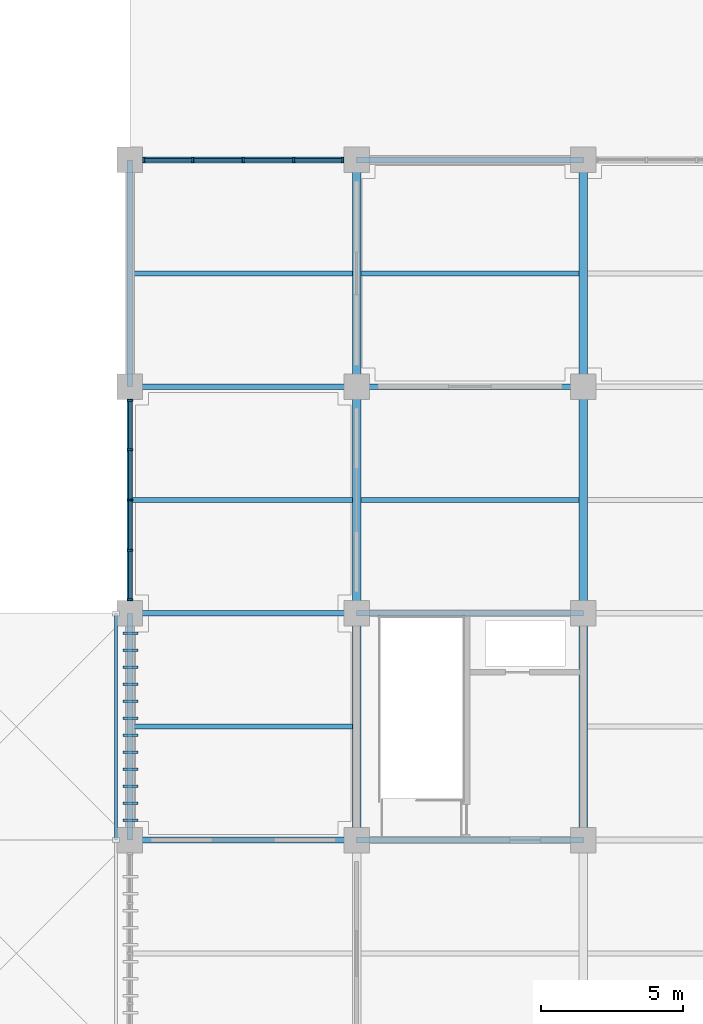
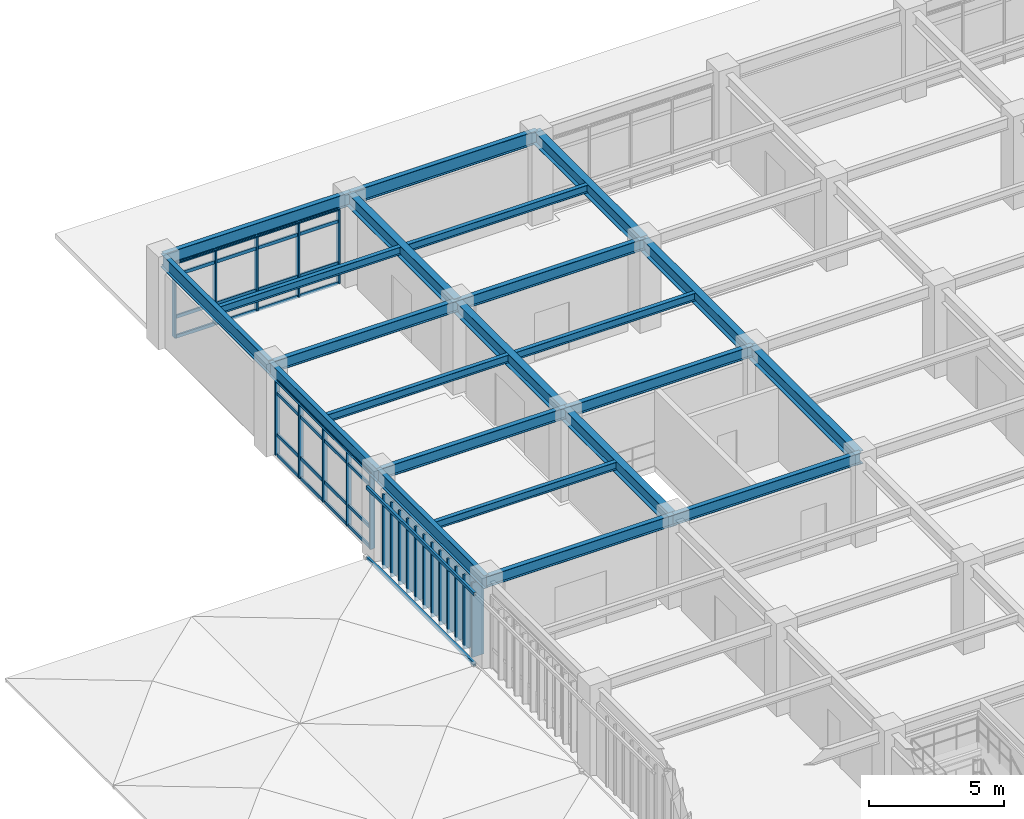
# One storey, part 50 of 118: 56 members, 22 beams, 2 elements without a shape of their own.
"""IFC4 building model written with IfcOpenShell, lengths in metres."""

from ifc_helpers import new_model, si_unit, direction, frame, origin, origin_2d, place, context, subcontext, project, spatial, rectangle, hollow_rectangle, i_section, extrude, material, layer, layer_set, material_profile, profile_set, type_object, element, aggregate, save


model = new_model("IFC4")

# Units and contexts
model_context = context("Model", 3, precision=1e-05, world=origin(), true_north=direction((0.0, 1.0)))
body_context = subcontext(model_context, "Body", "Model", "MODEL_VIEW")
ifc_project = project(units=[si_unit("LENGTHUNIT", "METRE"), si_unit("AREAUNIT", "SQUARE_METRE"), si_unit("VOLUMEUNIT", "CUBIC_METRE"), si_unit("PLANEANGLEUNIT", "RADIAN"), si_unit("MASSUNIT", "GRAM", prefix="KILO")], contexts=[model_context])

# Site, building, storey
site_placement = place(None, origin())
site = spatial("IfcSite", under=ifc_project, at=site_placement, CompositionType="ELEMENT")
building_placement = place(site_placement, origin())
building = spatial("IfcBuilding", under=site, at=building_placement, Name="Haebicheon Civic Stadium", CompositionType="ELEMENT")
storey_placement = place(building_placement, frame((0.0, 0.0, 14.39990234375)))
storey = spatial("IfcBuildingStorey", under=building, at=storey_placement, Name="L04", CompositionType="ELEMENT", Elevation=14.39990234375)

# Beams
ifc_material_1 = material(Name="Steel SM355 (S355)", Category="steel")
ifc_material_profile_1 = material_profile(ifc_material_1, i_section(OverallWidth=0.199951171875, OverallDepth=0.5, WebThickness=0.010009765625, FlangeThickness=0.01611328125, at=origin_2d()), Name="H-500x200x10x16")
ifc_profile_set_1 = profile_set([ifc_material_profile_1], Name="Steel SM355 (S355)")
beam_type_1 = type_object("IfcBeamType", Name="BM-ST-H500", PredefinedType="BEAM", material=ifc_profile_set_1)
for number, where, z_axis, x_axis, name in (
    (1, (24.0, 128.0, 3.690185546875), (1.0, 0.0, 0.0), (0.0, 1.0, 0.0), "L04 beam S/4-5"),
    (2, (24.0, 136.0, 3.690185546875), (1.0, 0.0, 0.0), (0.0, 1.0, 0.0), "L04 beam T/4-5"),
    (3, (24.0, 144.0, 3.690185546875), (1.0, 0.0, 0.0), (0.0, 1.0, 0.0), "L04 beam U/4-5"),
    (4, (32.0, 128.0, 3.690185546875), (1.0, 0.0, 0.0), (0.0, 1.0, 0.0), "L04 beam S/5-6"),
    (5, (32.0, 136.0, 3.690185546875), (1.0, 0.0, 0.0), (0.0, 1.0, 0.0), "L04 beam T/5-6"),
    (6, (32.0, 144.0, 3.690185546875), (1.0, 0.0, 0.0), (0.0, 1.0, 0.0), "L04 beam U/5-6"),
):
    element("IfcBeam", number, at=place(storey_placement, frame(where, z_axis=z_axis, x_axis=x_axis)), inside=storey, type_object=beam_type_1, material=ifc_profile_set_1, Name=name, PredefinedType="BEAM", context=body_context, shape_type="SweptSolid", body=[
        extrude(i_section(OverallWidth=0.199951171875, OverallDepth=0.5, WebThickness=0.010009765625, FlangeThickness=0.01611328125, at=origin_2d()), origin(), (0.0, 0.0, 1.0), 8.0),
    ])
ifc_material_2 = material(Name="Steel SM355 (S355)", Category="steel")
ifc_material_profile_2 = material_profile(ifc_material_2, i_section(OverallWidth=0.300048828125, OverallDepth=0.60009765625, WebThickness=0.011962890625, FlangeThickness=0.02001953125, at=origin_2d()), Name="H-600x300x12x20")
ifc_profile_set_2 = profile_set([ifc_material_profile_2], Name="Steel SM355 (S355)")
beam_type_2 = type_object("IfcBeamType", Name="BM-ST-H600A", PredefinedType="BEAM", material=ifc_profile_set_2)
for number, where, z_axis, x_axis, name in (
    (7, (32.0, 128.0, 3.64013671875), (0.0, 1.0, 0.0), (-1.0, 0.0, 0.0), "L04 girder 5/S-T"),
    (8, (32.0, 136.0, 3.64013671875), (0.0, 1.0, 0.0), (-1.0, 0.0, 0.0), "L04 girder 5/T-U"),
    (9, (32.0, 144.0, 3.68017578125), (0.0, 1.0, 0.0), (-1.0, 0.0, 0.0), "L04 girder 5/U-V"),
    (10, (40.0, 128.0, 3.64013671875), (0.0, 1.0, 0.0), (-1.0, 0.0, 0.0), "L04 girder 6/S-T"),
    (11, (40.0, 136.0, 3.64013671875), (0.0, 1.0, 0.0), (-1.0, 0.0, 0.0), "L04 girder 6/T-U"),
    (12, (40.0, 144.0, 3.68017578125), (0.0, 1.0, 0.0), (-1.0, 0.0, 0.0), "L04 girder 6/U-V"),
):
    element("IfcBeam", number, at=place(storey_placement, frame(where, z_axis=z_axis, x_axis=x_axis)), inside=storey, type_object=beam_type_2, material=ifc_profile_set_2, Name=name, PredefinedType="BEAM", context=body_context, shape_type="SweptSolid", body=[
        extrude(i_section(OverallWidth=0.300048828125, OverallDepth=0.60009765625, WebThickness=0.011962890625, FlangeThickness=0.02001953125, at=origin_2d()), origin(), (0.0, 0.0, 1.0), 8.0),
    ])

# Curtain wall, members
ifc_material_3 = material(Name="Anodised aluminium and laminated glass", Category="aluminium")
ifc_layer_1 = layer(ifc_material_3, 0.179931640625, Name="Anodised aluminium and laminated glass")
ifc_layer_set_1 = layer_set([ifc_layer_1], Name="Anodised aluminium and laminated glass")
curtain_wall_type_1 = type_object("IfcCurtainWallType", Name="CW-7100x3330", PredefinedType="NOTDEFINED", material=ifc_layer_set_1)
curtain_wall_1_placement = place(storey_placement, origin())
curtain_wall_1 = element("IfcCurtainWall", 13, at=curtain_wall_1_placement, inside=storey, type_object=curtain_wall_type_1, material=ifc_layer_set_1, Name="L04 unitised curtain wall 111", PredefinedType="NOTDEFINED")
ifc_material_4 = material(Name="Anodised aluminium 6063-T6", Category="aluminium")
ifc_material_profile_3 = material_profile(ifc_material_4, rectangle(XDim=0.070068359375, YDim=0.199951171875, at=origin_2d()), Name="ALU-MULL-70x200")
ifc_profile_set_3 = profile_set([ifc_material_profile_3], Name="Anodised aluminium 6063-T6")
member_type_1 = type_object("IfcMemberType", Name="CWM-200x70", PredefinedType="MULLION", material=ifc_profile_set_3)
member_1_placement = place(storey_placement, frame((24.0, 136.485107421875, 0.0), z_axis=(0.0, 0.0, 1.0), x_axis=(0.0, 1.0, 0.0)))
member_1 = element("IfcMember", 14, at=member_1_placement, type_object=member_type_1, material=ifc_profile_set_3, Name="CW-L04-111 vertical mullion 1", PredefinedType="MULLION", context=body_context, shape_type="SweptSolid", body=[
    extrude(rectangle(XDim=0.070068359375, YDim=0.199951171875, at=origin_2d()), origin(), (0.0, 0.0, 1.0), 3.330078125),
])
member_2_placement = place(storey_placement, frame((24.0, 138.22509765625, 0.0), z_axis=(0.0, 0.0, 1.0), x_axis=(0.0, 1.0, 0.0)))
member_2 = element("IfcMember", 15, at=member_2_placement, type_object=member_type_1, material=ifc_profile_set_3, Name="CW-L04-111 vertical mullion 2", PredefinedType="MULLION", context=body_context, shape_type="SweptSolid", body=[
    extrude(rectangle(XDim=0.070068359375, YDim=0.199951171875, at=origin_2d()), origin(), (0.0, 0.0, 1.0), 3.330078125),
])
member_3_placement = place(storey_placement, frame((24.0, 140.0, 0.0), z_axis=(0.0, 0.0, 1.0), x_axis=(0.0, 1.0, 0.0)))
member_3 = element("IfcMember", 16, at=member_3_placement, type_object=member_type_1, material=ifc_profile_set_3, Name="CW-L04-111 vertical mullion 3", PredefinedType="MULLION", context=body_context, shape_type="SweptSolid", body=[
    extrude(rectangle(XDim=0.070068359375, YDim=0.199951171875, at=origin_2d()), origin(), (0.0, 0.0, 1.0), 3.330078125),
])
member_4_placement = place(storey_placement, frame((24.0, 141.77490234375, 0.0), z_axis=(0.0, 0.0, 1.0), x_axis=(0.0, 1.0, 0.0)))
member_4 = element("IfcMember", 17, at=member_4_placement, type_object=member_type_1, material=ifc_profile_set_3, Name="CW-L04-111 vertical mullion 4", PredefinedType="MULLION", context=body_context, shape_type="SweptSolid", body=[
    extrude(rectangle(XDim=0.070068359375, YDim=0.199951171875, at=origin_2d()), origin(), (0.0, 0.0, 1.0), 3.330078125),
])
member_5_placement = place(storey_placement, frame((24.0, 143.514892578125, 0.0), z_axis=(0.0, 0.0, 1.0), x_axis=(0.0, 1.0, 0.0)))
member_5 = element("IfcMember", 18, at=member_5_placement, type_object=member_type_1, material=ifc_profile_set_3, Name="CW-L04-111 vertical mullion 5", PredefinedType="MULLION", context=body_context, shape_type="SweptSolid", body=[
    extrude(rectangle(XDim=0.070068359375, YDim=0.199951171875, at=origin_2d()), origin(), (0.0, 0.0, 1.0), 3.330078125),
])

ifc_material_5 = material(Name="Anodised aluminium and laminated glass", Category="aluminium")
ifc_layer_2 = layer(ifc_material_5, 0.179931640625, Name="Anodised aluminium and laminated glass")
ifc_layer_set_2 = layer_set([ifc_layer_2], Name="Anodised aluminium and laminated glass")
curtain_wall_type_2 = type_object("IfcCurtainWallType", Name="CW-7100x3350", PredefinedType="NOTDEFINED", material=ifc_layer_set_2)
curtain_wall_2_placement = place(storey_placement, origin())
curtain_wall_2 = element("IfcCurtainWall", 19, at=curtain_wall_2_placement, inside=storey, type_object=curtain_wall_type_2, material=ifc_layer_set_2, Name="L04 unitised curtain wall 112", PredefinedType="NOTDEFINED")
member_6_placement = place(storey_placement, frame((24.485107421875, 152.0, 0.0), z_axis=(0.0, 0.0, 1.0), x_axis=(1.0, 0.0, 0.0)))
member_6 = element("IfcMember", 20, at=member_6_placement, type_object=member_type_1, material=ifc_profile_set_3, Name="CW-L04-112 vertical mullion 1", PredefinedType="MULLION", context=body_context, shape_type="SweptSolid", body=[
    extrude(rectangle(XDim=0.070068359375, YDim=0.199951171875, at=origin_2d()), origin(), (0.0, 0.0, 1.0), 3.35009765625),
])
member_7_placement = place(storey_placement, frame((26.22509765625, 152.0, 0.0), z_axis=(0.0, 0.0, 1.0), x_axis=(1.0, 0.0, 0.0)))
member_7 = element("IfcMember", 21, at=member_7_placement, type_object=member_type_1, material=ifc_profile_set_3, Name="CW-L04-112 vertical mullion 2", PredefinedType="MULLION", context=body_context, shape_type="SweptSolid", body=[
    extrude(rectangle(XDim=0.070068359375, YDim=0.199951171875, at=origin_2d()), origin(), (0.0, 0.0, 1.0), 3.35009765625),
])
member_8_placement = place(storey_placement, frame((28.0, 152.0, 0.0), z_axis=(0.0, 0.0, 1.0), x_axis=(1.0, 0.0, 0.0)))
member_8 = element("IfcMember", 22, at=member_8_placement, type_object=member_type_1, material=ifc_profile_set_3, Name="CW-L04-112 vertical mullion 3", PredefinedType="MULLION", context=body_context, shape_type="SweptSolid", body=[
    extrude(rectangle(XDim=0.070068359375, YDim=0.199951171875, at=origin_2d()), origin(), (0.0, 0.0, 1.0), 3.35009765625),
])
member_9_placement = place(storey_placement, frame((29.77490234375, 152.0, 0.0), z_axis=(0.0, 0.0, 1.0), x_axis=(1.0, 0.0, 0.0)))
member_9 = element("IfcMember", 23, at=member_9_placement, type_object=member_type_1, material=ifc_profile_set_3, Name="CW-L04-112 vertical mullion 4", PredefinedType="MULLION", context=body_context, shape_type="SweptSolid", body=[
    extrude(rectangle(XDim=0.070068359375, YDim=0.199951171875, at=origin_2d()), origin(), (0.0, 0.0, 1.0), 3.35009765625),
])
member_10_placement = place(storey_placement, frame((31.514892578125, 152.0, 0.0), z_axis=(0.0, 0.0, 1.0), x_axis=(1.0, 0.0, 0.0)))
member_10 = element("IfcMember", 24, at=member_10_placement, type_object=member_type_1, material=ifc_profile_set_3, Name="CW-L04-112 vertical mullion 5", PredefinedType="MULLION", context=body_context, shape_type="SweptSolid", body=[
    extrude(rectangle(XDim=0.070068359375, YDim=0.199951171875, at=origin_2d()), origin(), (0.0, 0.0, 1.0), 3.35009765625),
])

# Member
ifc_material_6 = material(Name="Anodised aluminium 6063-T6", Category="aluminium")
ifc_material_profile_4 = material_profile(ifc_material_6, rectangle(XDim=0.070068359375, YDim=0.14990234375, at=origin_2d()), Name="ALU-TRAN-70x150")
ifc_profile_set_4 = profile_set([ifc_material_profile_4], Name="Anodised aluminium 6063-T6")
member_type_2 = type_object("IfcMemberType", Name="CWT-150x70", PredefinedType="NOTDEFINED", material=ifc_profile_set_4)
member_11_placement = place(storey_placement, frame((24.0, 136.52001953125, 0.0), z_axis=(0.0, 1.0, 0.0), x_axis=(-1.0, 0.0, 0.0)))
member_11 = element("IfcMember", 25, at=member_11_placement, type_object=member_type_2, material=ifc_profile_set_4, Name="CW-L04-111 horizontal transom 1.1", ObjectType="TRANSOM", PredefinedType="USERDEFINED", context=body_context, shape_type="SweptSolid", body=[
    extrude(rectangle(XDim=0.070068359375, YDim=0.14990234375, at=origin_2d()), origin(), (0.0, 0.0, 1.0), 1.669921875),
])

member_12_placement = place(storey_placement, frame((24.0, 136.52001953125, 0.900146484375), z_axis=(0.0, 1.0, 0.0), x_axis=(-1.0, 0.0, 0.0)))
member_12 = element("IfcMember", 26, at=member_12_placement, type_object=member_type_2, material=ifc_profile_set_4, Name="CW-L04-111 horizontal transom 1.2", ObjectType="TRANSOM", PredefinedType="USERDEFINED", context=body_context, shape_type="SweptSolid", body=[
    extrude(rectangle(XDim=0.070068359375, YDim=0.14990234375, at=origin_2d()), origin(), (0.0, 0.0, 1.0), 1.669921875),
])

member_13_placement = place(storey_placement, frame((24.0, 136.52001953125, 2.780029296875), z_axis=(0.0, 1.0, 0.0), x_axis=(-1.0, 0.0, 0.0)))
member_13 = element("IfcMember", 27, at=member_13_placement, type_object=member_type_2, material=ifc_profile_set_4, Name="CW-L04-111 horizontal transom 1.3", ObjectType="TRANSOM", PredefinedType="USERDEFINED", context=body_context, shape_type="SweptSolid", body=[
    extrude(rectangle(XDim=0.070068359375, YDim=0.14990234375, at=origin_2d()), origin(), (0.0, 0.0, 1.0), 1.669921875),
])

member_14_placement = place(storey_placement, frame((24.0, 136.52001953125, 3.330078125), z_axis=(0.0, 1.0, 0.0), x_axis=(-1.0, 0.0, 0.0)))
member_14 = element("IfcMember", 28, at=member_14_placement, type_object=member_type_2, material=ifc_profile_set_4, Name="CW-L04-111 horizontal transom 1.4", ObjectType="TRANSOM", PredefinedType="USERDEFINED", context=body_context, shape_type="SweptSolid", body=[
    extrude(rectangle(XDim=0.070068359375, YDim=0.14990234375, at=origin_2d()), origin(), (0.0, 0.0, 1.0), 1.669921875),
])

member_15_placement = place(storey_placement, frame((24.0, 138.260009765625, 0.0), z_axis=(0.0, 1.0, 0.0), x_axis=(-1.0, 0.0, 0.0)))
member_15 = element("IfcMember", 29, at=member_15_placement, type_object=member_type_2, material=ifc_profile_set_4, Name="CW-L04-111 horizontal transom 2.1", ObjectType="TRANSOM", PredefinedType="USERDEFINED", context=body_context, shape_type="SweptSolid", body=[
    extrude(rectangle(XDim=0.070068359375, YDim=0.14990234375, at=origin_2d()), origin(), (0.0, 0.0, 1.0), 1.705078125),
])

member_16_placement = place(storey_placement, frame((24.0, 138.260009765625, 0.900146484375), z_axis=(0.0, 1.0, 0.0), x_axis=(-1.0, 0.0, 0.0)))
member_16 = element("IfcMember", 30, at=member_16_placement, type_object=member_type_2, material=ifc_profile_set_4, Name="CW-L04-111 horizontal transom 2.2", ObjectType="TRANSOM", PredefinedType="USERDEFINED", context=body_context, shape_type="SweptSolid", body=[
    extrude(rectangle(XDim=0.070068359375, YDim=0.14990234375, at=origin_2d()), origin(), (0.0, 0.0, 1.0), 1.705078125),
])

member_17_placement = place(storey_placement, frame((24.0, 138.260009765625, 2.780029296875), z_axis=(0.0, 1.0, 0.0), x_axis=(-1.0, 0.0, 0.0)))
member_17 = element("IfcMember", 31, at=member_17_placement, type_object=member_type_2, material=ifc_profile_set_4, Name="CW-L04-111 horizontal transom 2.3", ObjectType="TRANSOM", PredefinedType="USERDEFINED", context=body_context, shape_type="SweptSolid", body=[
    extrude(rectangle(XDim=0.070068359375, YDim=0.14990234375, at=origin_2d()), origin(), (0.0, 0.0, 1.0), 1.705078125),
])

member_18_placement = place(storey_placement, frame((24.0, 138.260009765625, 3.330078125), z_axis=(0.0, 1.0, 0.0), x_axis=(-1.0, 0.0, 0.0)))
member_18 = element("IfcMember", 32, at=member_18_placement, type_object=member_type_2, material=ifc_profile_set_4, Name="CW-L04-111 horizontal transom 2.4", ObjectType="TRANSOM", PredefinedType="USERDEFINED", context=body_context, shape_type="SweptSolid", body=[
    extrude(rectangle(XDim=0.070068359375, YDim=0.14990234375, at=origin_2d()), origin(), (0.0, 0.0, 1.0), 1.705078125),
])

member_19_placement = place(storey_placement, frame((24.0, 140.034912109375, 0.0), z_axis=(0.0, 1.0, 0.0), x_axis=(-1.0, 0.0, 0.0)))
member_19 = element("IfcMember", 33, at=member_19_placement, type_object=member_type_2, material=ifc_profile_set_4, Name="CW-L04-111 horizontal transom 3.1", ObjectType="TRANSOM", PredefinedType="USERDEFINED", context=body_context, shape_type="SweptSolid", body=[
    extrude(rectangle(XDim=0.070068359375, YDim=0.14990234375, at=origin_2d()), origin(), (0.0, 0.0, 1.0), 1.705078125),
])

member_20_placement = place(storey_placement, frame((24.0, 140.034912109375, 0.900146484375), z_axis=(0.0, 1.0, 0.0), x_axis=(-1.0, 0.0, 0.0)))
member_20 = element("IfcMember", 34, at=member_20_placement, type_object=member_type_2, material=ifc_profile_set_4, Name="CW-L04-111 horizontal transom 3.2", ObjectType="TRANSOM", PredefinedType="USERDEFINED", context=body_context, shape_type="SweptSolid", body=[
    extrude(rectangle(XDim=0.070068359375, YDim=0.14990234375, at=origin_2d()), origin(), (0.0, 0.0, 1.0), 1.705078125),
])

member_21_placement = place(storey_placement, frame((24.0, 140.034912109375, 2.780029296875), z_axis=(0.0, 1.0, 0.0), x_axis=(-1.0, 0.0, 0.0)))
member_21 = element("IfcMember", 35, at=member_21_placement, type_object=member_type_2, material=ifc_profile_set_4, Name="CW-L04-111 horizontal transom 3.3", ObjectType="TRANSOM", PredefinedType="USERDEFINED", context=body_context, shape_type="SweptSolid", body=[
    extrude(rectangle(XDim=0.070068359375, YDim=0.14990234375, at=origin_2d()), origin(), (0.0, 0.0, 1.0), 1.705078125),
])

member_22_placement = place(storey_placement, frame((24.0, 140.034912109375, 3.330078125), z_axis=(0.0, 1.0, 0.0), x_axis=(-1.0, 0.0, 0.0)))
member_22 = element("IfcMember", 36, at=member_22_placement, type_object=member_type_2, material=ifc_profile_set_4, Name="CW-L04-111 horizontal transom 3.4", ObjectType="TRANSOM", PredefinedType="USERDEFINED", context=body_context, shape_type="SweptSolid", body=[
    extrude(rectangle(XDim=0.070068359375, YDim=0.14990234375, at=origin_2d()), origin(), (0.0, 0.0, 1.0), 1.705078125),
])

member_23_placement = place(storey_placement, frame((24.0, 141.81005859375, 0.0), z_axis=(0.0, 1.0, 0.0), x_axis=(-1.0, 0.0, 0.0)))
member_23 = element("IfcMember", 37, at=member_23_placement, type_object=member_type_2, material=ifc_profile_set_4, Name="CW-L04-111 horizontal transom 4.1", ObjectType="TRANSOM", PredefinedType="USERDEFINED", context=body_context, shape_type="SweptSolid", body=[
    extrude(rectangle(XDim=0.070068359375, YDim=0.14990234375, at=origin_2d()), origin(), (0.0, 0.0, 1.0), 1.669921875),
])

member_24_placement = place(storey_placement, frame((24.0, 141.81005859375, 0.900146484375), z_axis=(0.0, 1.0, 0.0), x_axis=(-1.0, 0.0, 0.0)))
member_24 = element("IfcMember", 38, at=member_24_placement, type_object=member_type_2, material=ifc_profile_set_4, Name="CW-L04-111 horizontal transom 4.2", ObjectType="TRANSOM", PredefinedType="USERDEFINED", context=body_context, shape_type="SweptSolid", body=[
    extrude(rectangle(XDim=0.070068359375, YDim=0.14990234375, at=origin_2d()), origin(), (0.0, 0.0, 1.0), 1.669921875),
])

member_25_placement = place(storey_placement, frame((24.0, 141.81005859375, 2.780029296875), z_axis=(0.0, 1.0, 0.0), x_axis=(-1.0, 0.0, 0.0)))
member_25 = element("IfcMember", 39, at=member_25_placement, type_object=member_type_2, material=ifc_profile_set_4, Name="CW-L04-111 horizontal transom 4.3", ObjectType="TRANSOM", PredefinedType="USERDEFINED", context=body_context, shape_type="SweptSolid", body=[
    extrude(rectangle(XDim=0.070068359375, YDim=0.14990234375, at=origin_2d()), origin(), (0.0, 0.0, 1.0), 1.669921875),
])

member_26_placement = place(storey_placement, frame((24.0, 141.81005859375, 3.330078125), z_axis=(0.0, 1.0, 0.0), x_axis=(-1.0, 0.0, 0.0)))
member_26 = element("IfcMember", 40, at=member_26_placement, type_object=member_type_2, material=ifc_profile_set_4, Name="CW-L04-111 horizontal transom 4.4", ObjectType="TRANSOM", PredefinedType="USERDEFINED", context=body_context, shape_type="SweptSolid", body=[
    extrude(rectangle(XDim=0.070068359375, YDim=0.14990234375, at=origin_2d()), origin(), (0.0, 0.0, 1.0), 1.669921875),
])

aggregate(curtain_wall_1, [member_1, member_2, member_3, member_4, member_5, member_11, member_12, member_13, member_14, member_15, member_16, member_17, member_18, member_19, member_20, member_21, member_22, member_23, member_24, member_25, member_26])

member_27_placement = place(storey_placement, frame((24.52001953125, 152.0, 0.0), z_axis=(1.0, 0.0, 0.0), x_axis=(0.0, 1.0, 0.0)))
member_27 = element("IfcMember", 41, at=member_27_placement, type_object=member_type_2, material=ifc_profile_set_4, Name="CW-L04-112 horizontal transom 1.1", ObjectType="TRANSOM", PredefinedType="USERDEFINED", context=body_context, shape_type="SweptSolid", body=[
    extrude(rectangle(XDim=0.070068359375, YDim=0.14990234375, at=origin_2d()), origin(), (0.0, 0.0, 1.0), 1.669921875),
])

member_28_placement = place(storey_placement, frame((24.52001953125, 152.0, 0.900146484375), z_axis=(1.0, 0.0, 0.0), x_axis=(0.0, 1.0, 0.0)))
member_28 = element("IfcMember", 42, at=member_28_placement, type_object=member_type_2, material=ifc_profile_set_4, Name="CW-L04-112 horizontal transom 1.2", ObjectType="TRANSOM", PredefinedType="USERDEFINED", context=body_context, shape_type="SweptSolid", body=[
    extrude(rectangle(XDim=0.070068359375, YDim=0.14990234375, at=origin_2d()), origin(), (0.0, 0.0, 1.0), 1.669921875),
])

member_29_placement = place(storey_placement, frame((24.52001953125, 152.0, 2.800048828125), z_axis=(1.0, 0.0, 0.0), x_axis=(0.0, 1.0, 0.0)))
member_29 = element("IfcMember", 43, at=member_29_placement, type_object=member_type_2, material=ifc_profile_set_4, Name="CW-L04-112 horizontal transom 1.3", ObjectType="TRANSOM", PredefinedType="USERDEFINED", context=body_context, shape_type="SweptSolid", body=[
    extrude(rectangle(XDim=0.070068359375, YDim=0.14990234375, at=origin_2d()), origin(), (0.0, 0.0, 1.0), 1.669921875),
])

member_30_placement = place(storey_placement, frame((24.52001953125, 152.0, 3.35009765625), z_axis=(1.0, 0.0, 0.0), x_axis=(0.0, 1.0, 0.0)))
member_30 = element("IfcMember", 44, at=member_30_placement, type_object=member_type_2, material=ifc_profile_set_4, Name="CW-L04-112 horizontal transom 1.4", ObjectType="TRANSOM", PredefinedType="USERDEFINED", context=body_context, shape_type="SweptSolid", body=[
    extrude(rectangle(XDim=0.070068359375, YDim=0.14990234375, at=origin_2d()), origin(), (0.0, 0.0, 1.0), 1.669921875),
])

member_31_placement = place(storey_placement, frame((26.260009765625, 152.0, 0.0), z_axis=(1.0, 0.0, 0.0), x_axis=(0.0, 1.0, 0.0)))
member_31 = element("IfcMember", 45, at=member_31_placement, type_object=member_type_2, material=ifc_profile_set_4, Name="CW-L04-112 horizontal transom 2.1", ObjectType="TRANSOM", PredefinedType="USERDEFINED", context=body_context, shape_type="SweptSolid", body=[
    extrude(rectangle(XDim=0.070068359375, YDim=0.14990234375, at=origin_2d()), origin(), (0.0, 0.0, 1.0), 1.705078125),
])

member_32_placement = place(storey_placement, frame((26.260009765625, 152.0, 0.900146484375), z_axis=(1.0, 0.0, 0.0), x_axis=(0.0, 1.0, 0.0)))
member_32 = element("IfcMember", 46, at=member_32_placement, type_object=member_type_2, material=ifc_profile_set_4, Name="CW-L04-112 horizontal transom 2.2", ObjectType="TRANSOM", PredefinedType="USERDEFINED", context=body_context, shape_type="SweptSolid", body=[
    extrude(rectangle(XDim=0.070068359375, YDim=0.14990234375, at=origin_2d()), origin(), (0.0, 0.0, 1.0), 1.705078125),
])

member_33_placement = place(storey_placement, frame((26.260009765625, 152.0, 2.800048828125), z_axis=(1.0, 0.0, 0.0), x_axis=(0.0, 1.0, 0.0)))
member_33 = element("IfcMember", 47, at=member_33_placement, type_object=member_type_2, material=ifc_profile_set_4, Name="CW-L04-112 horizontal transom 2.3", ObjectType="TRANSOM", PredefinedType="USERDEFINED", context=body_context, shape_type="SweptSolid", body=[
    extrude(rectangle(XDim=0.070068359375, YDim=0.14990234375, at=origin_2d()), origin(), (0.0, 0.0, 1.0), 1.705078125),
])

member_34_placement = place(storey_placement, frame((26.260009765625, 152.0, 3.35009765625), z_axis=(1.0, 0.0, 0.0), x_axis=(0.0, 1.0, 0.0)))
member_34 = element("IfcMember", 48, at=member_34_placement, type_object=member_type_2, material=ifc_profile_set_4, Name="CW-L04-112 horizontal transom 2.4", ObjectType="TRANSOM", PredefinedType="USERDEFINED", context=body_context, shape_type="SweptSolid", body=[
    extrude(rectangle(XDim=0.070068359375, YDim=0.14990234375, at=origin_2d()), origin(), (0.0, 0.0, 1.0), 1.705078125),
])

member_35_placement = place(storey_placement, frame((28.034912109375, 152.0, 0.0), z_axis=(1.0, 0.0, 0.0), x_axis=(0.0, 1.0, 0.0)))
member_35 = element("IfcMember", 49, at=member_35_placement, type_object=member_type_2, material=ifc_profile_set_4, Name="CW-L04-112 horizontal transom 3.1", ObjectType="TRANSOM", PredefinedType="USERDEFINED", context=body_context, shape_type="SweptSolid", body=[
    extrude(rectangle(XDim=0.070068359375, YDim=0.14990234375, at=origin_2d()), origin(), (0.0, 0.0, 1.0), 1.705078125),
])

member_36_placement = place(storey_placement, frame((28.034912109375, 152.0, 0.900146484375), z_axis=(1.0, 0.0, 0.0), x_axis=(0.0, 1.0, 0.0)))
member_36 = element("IfcMember", 50, at=member_36_placement, type_object=member_type_2, material=ifc_profile_set_4, Name="CW-L04-112 horizontal transom 3.2", ObjectType="TRANSOM", PredefinedType="USERDEFINED", context=body_context, shape_type="SweptSolid", body=[
    extrude(rectangle(XDim=0.070068359375, YDim=0.14990234375, at=origin_2d()), origin(), (0.0, 0.0, 1.0), 1.705078125),
])

member_37_placement = place(storey_placement, frame((28.034912109375, 152.0, 2.800048828125), z_axis=(1.0, 0.0, 0.0), x_axis=(0.0, 1.0, 0.0)))
member_37 = element("IfcMember", 51, at=member_37_placement, type_object=member_type_2, material=ifc_profile_set_4, Name="CW-L04-112 horizontal transom 3.3", ObjectType="TRANSOM", PredefinedType="USERDEFINED", context=body_context, shape_type="SweptSolid", body=[
    extrude(rectangle(XDim=0.070068359375, YDim=0.14990234375, at=origin_2d()), origin(), (0.0, 0.0, 1.0), 1.705078125),
])

member_38_placement = place(storey_placement, frame((28.034912109375, 152.0, 3.35009765625), z_axis=(1.0, 0.0, 0.0), x_axis=(0.0, 1.0, 0.0)))
member_38 = element("IfcMember", 52, at=member_38_placement, type_object=member_type_2, material=ifc_profile_set_4, Name="CW-L04-112 horizontal transom 3.4", ObjectType="TRANSOM", PredefinedType="USERDEFINED", context=body_context, shape_type="SweptSolid", body=[
    extrude(rectangle(XDim=0.070068359375, YDim=0.14990234375, at=origin_2d()), origin(), (0.0, 0.0, 1.0), 1.705078125),
])

member_39_placement = place(storey_placement, frame((29.81005859375, 152.0, 0.0), z_axis=(1.0, 0.0, 0.0), x_axis=(0.0, 1.0, 0.0)))
member_39 = element("IfcMember", 53, at=member_39_placement, type_object=member_type_2, material=ifc_profile_set_4, Name="CW-L04-112 horizontal transom 4.1", ObjectType="TRANSOM", PredefinedType="USERDEFINED", context=body_context, shape_type="SweptSolid", body=[
    extrude(rectangle(XDim=0.070068359375, YDim=0.14990234375, at=origin_2d()), origin(), (0.0, 0.0, 1.0), 1.669921875),
])

member_40_placement = place(storey_placement, frame((29.81005859375, 152.0, 0.900146484375), z_axis=(1.0, 0.0, 0.0), x_axis=(0.0, 1.0, 0.0)))
member_40 = element("IfcMember", 54, at=member_40_placement, type_object=member_type_2, material=ifc_profile_set_4, Name="CW-L04-112 horizontal transom 4.2", ObjectType="TRANSOM", PredefinedType="USERDEFINED", context=body_context, shape_type="SweptSolid", body=[
    extrude(rectangle(XDim=0.070068359375, YDim=0.14990234375, at=origin_2d()), origin(), (0.0, 0.0, 1.0), 1.669921875),
])

member_41_placement = place(storey_placement, frame((29.81005859375, 152.0, 2.800048828125), z_axis=(1.0, 0.0, 0.0), x_axis=(0.0, 1.0, 0.0)))
member_41 = element("IfcMember", 55, at=member_41_placement, type_object=member_type_2, material=ifc_profile_set_4, Name="CW-L04-112 horizontal transom 4.3", ObjectType="TRANSOM", PredefinedType="USERDEFINED", context=body_context, shape_type="SweptSolid", body=[
    extrude(rectangle(XDim=0.070068359375, YDim=0.14990234375, at=origin_2d()), origin(), (0.0, 0.0, 1.0), 1.669921875),
])

member_42_placement = place(storey_placement, frame((29.81005859375, 152.0, 3.35009765625), z_axis=(1.0, 0.0, 0.0), x_axis=(0.0, 1.0, 0.0)))
member_42 = element("IfcMember", 56, at=member_42_placement, type_object=member_type_2, material=ifc_profile_set_4, Name="CW-L04-112 horizontal transom 4.4", ObjectType="TRANSOM", PredefinedType="USERDEFINED", context=body_context, shape_type="SweptSolid", body=[
    extrude(rectangle(XDim=0.070068359375, YDim=0.14990234375, at=origin_2d()), origin(), (0.0, 0.0, 1.0), 1.669921875),
])

aggregate(curtain_wall_2, [member_6, member_7, member_8, member_9, member_10, member_27, member_28, member_29, member_30, member_31, member_32, member_33, member_34, member_35, member_36, member_37, member_38, member_39, member_40, member_41, member_42])

# Beams
ifc_material_7 = material(Name="Steel SM355 (S355)", Category="steel")
ifc_material_profile_5 = material_profile(ifc_material_7, i_section(OverallWidth=0.175048828125, OverallDepth=0.35009765625, WebThickness=0.007080078125, FlangeThickness=0.010986328125, at=origin_2d()), Name="H-350x175x7x11")
ifc_profile_set_5 = profile_set([ifc_material_profile_5], Name="Steel SM355 (S355)")
beam_type_3 = type_object("IfcBeamType", Name="JST-ST-H350", PredefinedType="JOIST", material=ifc_profile_set_5)
for number, where, z_axis, x_axis, name in (
    (57, (24.10009765625, 132.0, 3.76513671875), (1.0, 0.0, 0.0), (0.0, 1.0, 0.0), "L04 secondary joist 03-16"),
    (58, (24.10009765625, 140.0, 3.76513671875), (1.0, 0.0, 0.0), (0.0, 1.0, 0.0), "L04 secondary joist 03-17"),
    (59, (24.10009765625, 148.0, 3.80517578125), (1.0, 0.0, 0.0), (0.0, 1.0, 0.0), "L04 secondary joist 03-18"),
):
    element("IfcBeam", number, at=place(storey_placement, frame(where, z_axis=z_axis, x_axis=x_axis)), inside=storey, type_object=beam_type_3, material=ifc_profile_set_5, Name=name, PredefinedType="JOIST", context=body_context, shape_type="SweptSolid", body=[
        extrude(i_section(OverallWidth=0.175048828125, OverallDepth=0.35009765625, WebThickness=0.007080078125, FlangeThickness=0.010986328125, at=origin_2d()), origin(), (0.0, 0.0, 1.0), 7.75),
    ])
for number, where, z_axis, x_axis, name in (
    (60, (32.14990234375, 140.0, 3.76513671875), (1.0, 0.0, 0.0), (0.0, 1.0, 0.0), "L04 secondary joist 04-17"),
    (61, (32.14990234375, 148.0, 3.80517578125), (1.0, 0.0, 0.0), (0.0, 1.0, 0.0), "L04 secondary joist 04-18"),
):
    element("IfcBeam", number, at=place(storey_placement, frame(where, z_axis=z_axis, x_axis=x_axis)), inside=storey, type_object=beam_type_3, material=ifc_profile_set_5, Name=name, PredefinedType="JOIST", context=body_context, shape_type="SweptSolid", body=[
        extrude(i_section(OverallWidth=0.175048828125, OverallDepth=0.35009765625, WebThickness=0.007080078125, FlangeThickness=0.010986328125, at=origin_2d()), origin(), (0.0, 0.0, 1.0), 7.7001953125),
    ])

# Members
ifc_material_8 = material(Name="Acetylated timber GL28h", Category="wood")
ifc_material_profile_6 = material_profile(ifc_material_8, rectangle(XDim=0.080078125, YDim=0.52001953125, at=origin_2d()), Name="TMB-LOUV-80x520")
ifc_profile_set_6 = profile_set([ifc_material_profile_6], Name="Acetylated timber GL28h")
member_type_3 = type_object("IfcMemberType", Name="LVR-TIM-520x80", PredefinedType="PLATE", material=ifc_profile_set_6)
for number, where, z_axis, x_axis, name in (
    (62, (24.02001953125, 128.699951171875, -0.119873046875), (0.0, 0.0, 1.0), (0.0, 1.0, 0.0), "SCR-WEST L04 acetylated timber storm louvre fin 11.1"),
    (63, (24.02001953125, 129.300048828125, -0.119873046875), (0.0, 0.0, 1.0), (0.0, 1.0, 0.0), "SCR-WEST L04 acetylated timber storm louvre fin 11.2"),
    (64, (24.02001953125, 129.89990234375, -0.119873046875), (0.0, 0.0, 1.0), (0.0, 1.0, 0.0), "SCR-WEST L04 acetylated timber storm louvre fin 11.3"),
    (65, (24.02001953125, 130.5, -0.119873046875), (0.0, 0.0, 1.0), (0.0, 1.0, 0.0), "SCR-WEST L04 acetylated timber storm louvre fin 11.4"),
    (66, (24.02001953125, 131.10009765625, -0.119873046875), (0.0, 0.0, 1.0), (0.0, 1.0, 0.0), "SCR-WEST L04 acetylated timber storm louvre fin 11.5"),
    (67, (24.02001953125, 131.699951171875, -0.119873046875), (0.0, 0.0, 1.0), (0.0, 1.0, 0.0), "SCR-WEST L04 acetylated timber storm louvre fin 11.6"),
    (68, (24.02001953125, 132.300048828125, -0.119873046875), (0.0, 0.0, 1.0), (0.0, 1.0, 0.0), "SCR-WEST L04 acetylated timber storm louvre fin 11.7"),
    (69, (24.02001953125, 132.89990234375, -0.119873046875), (0.0, 0.0, 1.0), (0.0, 1.0, 0.0), "SCR-WEST L04 acetylated timber storm louvre fin 11.8"),
    (70, (24.02001953125, 133.5, -0.119873046875), (0.0, 0.0, 1.0), (0.0, 1.0, 0.0), "SCR-WEST L04 acetylated timber storm louvre fin 11.9"),
    (71, (24.02001953125, 134.10009765625, -0.119873046875), (0.0, 0.0, 1.0), (0.0, 1.0, 0.0), "SCR-WEST L04 acetylated timber storm louvre fin 11.10"),
    (72, (24.02001953125, 134.699951171875, -0.119873046875), (0.0, 0.0, 1.0), (0.0, 1.0, 0.0), "SCR-WEST L04 acetylated timber storm louvre fin 11.11"),
    (73, (24.02001953125, 135.300048828125, -0.119873046875), (0.0, 0.0, 1.0), (0.0, 1.0, 0.0), "SCR-WEST L04 acetylated timber storm louvre fin 11.12"),
):
    element("IfcMember", number, at=place(storey_placement, frame(where, z_axis=z_axis, x_axis=x_axis)), inside=storey, type_object=member_type_3, material=ifc_profile_set_6, Name=name, PredefinedType="PLATE", context=body_context, shape_type="SweptSolid", body=[
        extrude(rectangle(XDim=0.080078125, YDim=0.52001953125, at=origin_2d()), origin(), (0.0, 0.0, 1.0), 3.369873046875),
    ])

# Beams
ifc_material_9 = material(Name="Steel SM355 (S355)", Category="steel")
ifc_material_profile_7 = material_profile(ifc_material_9, i_section(OverallWidth=0.199951171875, OverallDepth=0.60009765625, WebThickness=0.010986328125, FlangeThickness=0.01708984375, at=origin_2d()), Name="H-600x200x11x17")
ifc_profile_set_7 = profile_set([ifc_material_profile_7], Name="Steel SM355 (S355)")
beam_type_4 = type_object("IfcBeamType", Name="SPD-ST-H600B", PredefinedType="SPANDREL", material=ifc_profile_set_7)
for number, where, z_axis, x_axis, name in (
    (74, (24.0, 128.0, 3.64013671875), (0.0, 1.0, 0.0), (-1.0, 0.0, 0.0), "L04 girder 4/S-T"),
    (75, (24.0, 136.0, 3.64013671875), (0.0, 1.0, 0.0), (-1.0, 0.0, 0.0), "L04 girder 4/T-U"),
    (76, (24.0, 144.0, 3.68017578125), (0.0, 1.0, 0.0), (-1.0, 0.0, 0.0), "L04 girder 4/U-V"),
    (77, (24.0, 152.0, 3.68017578125), (1.0, 0.0, 0.0), (0.0, 1.0, 0.0), "L04 beam V/4-5"),
    (78, (32.0, 152.0, 3.68017578125), (1.0, 0.0, 0.0), (0.0, 1.0, 0.0), "L04 beam V/5-6"),
):
    element("IfcBeam", number, at=place(storey_placement, frame(where, z_axis=z_axis, x_axis=x_axis)), inside=storey, type_object=beam_type_4, material=ifc_profile_set_7, Name=name, PredefinedType="SPANDREL", context=body_context, shape_type="SweptSolid", body=[
        extrude(i_section(OverallWidth=0.199951171875, OverallDepth=0.60009765625, WebThickness=0.010986328125, FlangeThickness=0.01708984375, at=origin_2d()), origin(), (0.0, 0.0, 1.0), 8.0),
    ])

# Members
ifc_material_10 = material(Name="Steel SM355 (S355)", Category="steel")
ifc_material_profile_8 = material_profile(ifc_material_10, hollow_rectangle(XDim=0.10009765625, YDim=0.14990234375, WallThickness=0.006103515625, at=origin_2d()), Name="RHS-150x100x6.0")
ifc_profile_set_8 = profile_set([ifc_material_profile_8], Name="Steel SM355 (S355)")
member_type_4 = type_object("IfcMemberType", Name="SUB-RHS150", PredefinedType="STRINGER", material=ifc_profile_set_8)
for number, where, z_axis, x_axis, name in (
    (79, (23.510009765625, 128.0, 0.06005859375), (0.0, 1.0, 0.0), (-1.0, 0.0, 0.0), "SCR-WEST L04 storm-louvre bottom carrier rail 11"),
    (80, (23.510009765625, 128.0, 3.25), (0.0, 1.0, 0.0), (-1.0, 0.0, 0.0), "SCR-WEST L04 storm-louvre top carrier rail 11"),
):
    element("IfcMember", number, at=place(storey_placement, frame(where, z_axis=z_axis, x_axis=x_axis)), inside=storey, type_object=member_type_4, material=ifc_profile_set_8, Name=name, PredefinedType="STRINGER", context=body_context, shape_type="SweptSolid", body=[
        extrude(hollow_rectangle(XDim=0.10009765625, YDim=0.14990234375, WallThickness=0.006103515625, at=origin_2d()), origin(), (0.0, 0.0, 1.0), 8.0),
    ])

save(model, "model.ifc")
